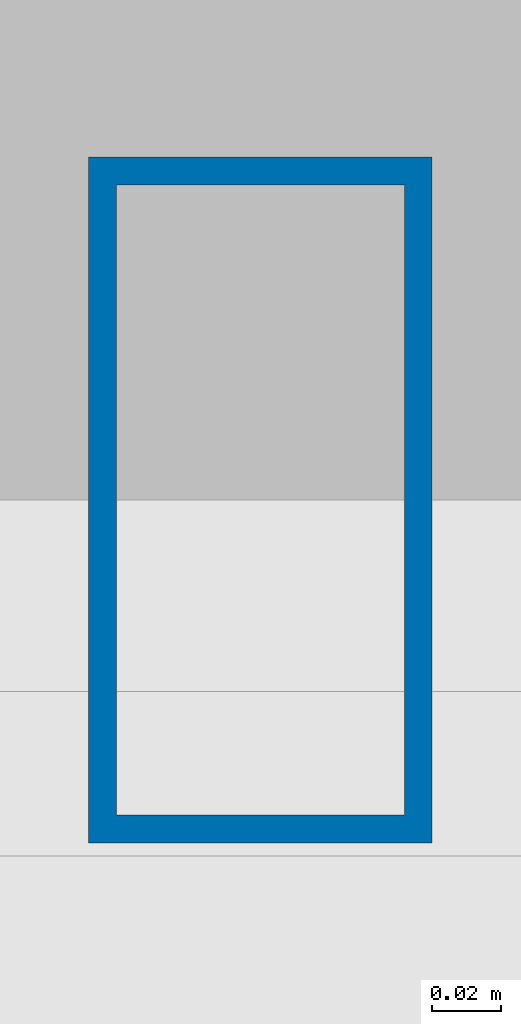
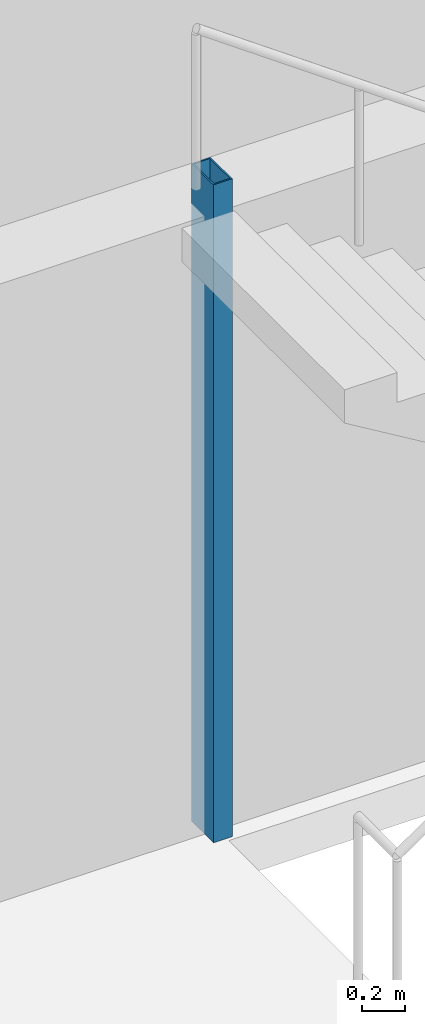
# One storey, part 2 of 18: 1 column.
"""IFC4 building model written with IfcOpenShell, lengths in metres."""

from ifc_helpers import new_model, si_unit, direction, frame, origin, origin_2d, place, context, subcontext, project, spatial, hollow_rectangle, extrude, material, material_profile, profile_set, type_object, element, save


model = new_model("IFC4")

# Units and contexts
model_context = context("Model", 3, precision=1e-05, world=origin(), true_north=direction((0.0, 1.0)))
body_context = subcontext(model_context, "Body", "Model", "MODEL_VIEW")
ifc_project = project(units=[si_unit("LENGTHUNIT", "METRE"), si_unit("AREAUNIT", "SQUARE_METRE"), si_unit("VOLUMEUNIT", "CUBIC_METRE"), si_unit("PLANEANGLEUNIT", "RADIAN"), si_unit("MASSUNIT", "GRAM", prefix="KILO")], contexts=[model_context])

# Site, building, storey
site_placement = place(None, origin())
site = spatial("IfcSite", under=ifc_project, at=site_placement, CompositionType="ELEMENT")
building_placement = place(site_placement, origin())
building = spatial("IfcBuilding", under=site, at=building_placement, Name="Menara Jurai Vektor", CompositionType="ELEMENT")
storey_placement = place(building_placement, frame((0.0, 0.0, 113.300048828125)))
storey = spatial("IfcBuildingStorey", under=building, at=storey_placement, Name="L28", CompositionType="ELEMENT", Elevation=113.300048828125)

# Column
ifc_material = material(Name="Steel S355", Category="steel")
ifc_material_profile = material_profile(ifc_material, hollow_rectangle(XDim=0.10009765625, YDim=0.199951171875, WallThickness=0.008056640625, at=origin_2d()), Name="RHS 200x100x8")
ifc_profile_set = profile_set([ifc_material_profile], Name="Steel S355")
column_type = type_object("IfcColumnType", Name="STR-COL-STAIR", PredefinedType="COLUMN", material=ifc_profile_set)
column_placement = place(storey_placement, frame((-11.1201171875, 5.419921875, 0.0), z_axis=(0.0, 0.0, 1.0), x_axis=(1.0, 0.0, 0.0)))
element("IfcColumn", 1, at=column_placement, inside=storey, type_object=column_type, Name="Stair Well Header Column ST1-P2 L28", PredefinedType="COLUMN", context=body_context, shape_type="SweptSolid", body=[
    extrude(hollow_rectangle(XDim=0.10009765625, YDim=0.199951171875, WallThickness=0.008056640625, at=origin_2d()), origin(), (0.0, 0.0, 1.0), 3.699951171875),
])

save(model, "model.ifc")
